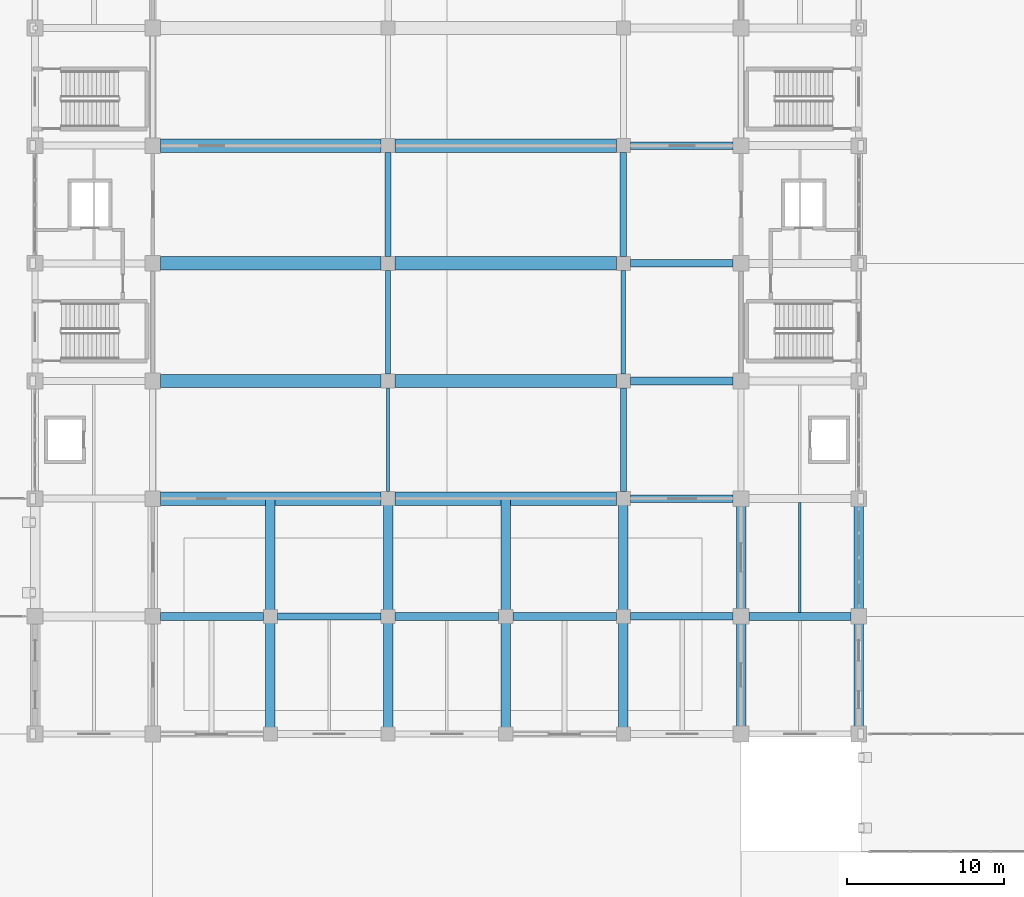
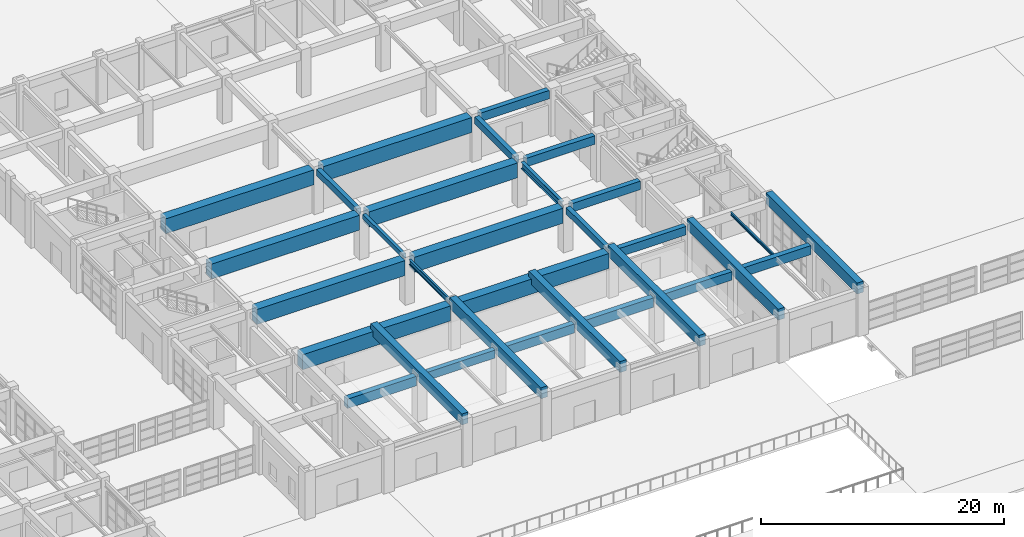
# One storey, part 28 of 122: 31 beams.
"""IFC4 building model written with IfcOpenShell, lengths in metres."""

from ifc_helpers import new_model, si_unit, direction, frame, origin, origin_2d, place, context, subcontext, project, spatial, rectangle, i_section, extrude, material, material_profile, profile_set, type_object, element, save


model = new_model("IFC4")

# Units and contexts
model_context = context("Model", 3, precision=1e-05, world=origin(), true_north=direction((0.0, 1.0)))
body_context = subcontext(model_context, "Body", "Model", "MODEL_VIEW")
ifc_project = project(units=[si_unit("LENGTHUNIT", "METRE"), si_unit("AREAUNIT", "SQUARE_METRE"), si_unit("VOLUMEUNIT", "CUBIC_METRE"), si_unit("PLANEANGLEUNIT", "RADIAN"), si_unit("MASSUNIT", "GRAM", prefix="KILO")], contexts=[model_context])

# Site, building, storey
site_placement = place(None, origin())
site = spatial("IfcSite", under=ifc_project, at=site_placement, CompositionType="ELEMENT")
building_placement = place(site_placement, origin())
building = spatial("IfcBuilding", under=site, at=building_placement, Name="Qasida Concert Hall", CompositionType="ELEMENT")
storey_placement = place(building_placement, origin())
storey = spatial("IfcBuildingStorey", under=building, at=storey_placement, Name="L00", CompositionType="ELEMENT", Elevation=0.0)

# Beams
ifc_material_1 = material(Name="Concrete C40/50", Category="concrete")
ifc_material_profile_1 = material_profile(ifc_material_1, rectangle(XDim=0.39990234375, YDim=0.64990234375, at=origin_2d()), Name="RC 400x650")
ifc_profile_set_1 = profile_set([ifc_material_profile_1], Name="Concrete C40/50")
beam_type_1 = type_object("IfcBeamType", Name="BM-B1", PredefinedType="BEAM", material=ifc_profile_set_1)
for number, where, z_axis, x_axis, name in (
    (1, (75.0, 52.949951171875, 4.175048828125), (0.0, 1.0, 0.0), (-1.0, 0.0, 0.0), "L00 girder 0419"),
    (2, (90.0, 37.949951171875, 4.175048828125), (0.0, 1.0, 0.0), (-1.0, 0.0, 0.0), "L00 girder 0424"),
):
    element("IfcBeam", number, at=place(storey_placement, frame(where, z_axis=z_axis, x_axis=x_axis)), inside=storey, type_object=beam_type_1, Name=name, PredefinedType="BEAM", context=body_context, shape_type="SweptSolid", body=[
        extrude(rectangle(XDim=0.39990234375, YDim=0.64990234375, at=origin_2d()), origin(), (0.0, 0.0, 1.0), 6.60009765625),
    ])
ifc_material_profile_2 = material_profile(ifc_material_1, rectangle(XDim=0.419921875, YDim=0.699951171875, at=origin_2d()), Name="RC 420x700")
ifc_profile_set_2 = profile_set([ifc_material_profile_2], Name="Concrete C40/50")
beam_type_2 = type_object("IfcBeamType", Name="BM-B11", PredefinedType="BEAM", material=ifc_profile_set_2)
beam_1_placement = place(storey_placement, frame((90.0, 52.949951171875, 4.14990234375), z_axis=(0.0, 1.0, 0.0), x_axis=(-1.0, 0.0, 0.0)))
element("IfcBeam", 3, at=beam_1_placement, inside=storey, type_object=beam_type_2, Name="L00 girder 0426", PredefinedType="BEAM", context=body_context, shape_type="SweptSolid", body=[
    extrude(rectangle(XDim=0.419921875, YDim=0.699951171875, at=origin_2d()), origin(), (0.0, 0.0, 1.0), 6.60009765625),
])
ifc_material_2 = material(Name="Steel S355J2", Category="steel")
ifc_material_profile_3 = material_profile(ifc_material_2, i_section(OverallWidth=0.300048828125, OverallDepth=0.64990234375, WebThickness=0.01611328125, FlangeThickness=0.031005859375, FilletRadius=0.027099609375, at=origin_2d()), Name="HEB 650")
ifc_profile_set_3 = profile_set([ifc_material_profile_3], Name="Steel S355J2")
beam_type_3 = type_object("IfcBeamType", Name="BM-B13", PredefinedType="BEAM", material=ifc_profile_set_3)
beam_2_placement = place(storey_placement, frame((90.0, 45.449951171875, 4.175048828125), z_axis=(0.0, 1.0, 0.0), x_axis=(-1.0, 0.0, 0.0)))
element("IfcBeam", 4, at=beam_2_placement, inside=storey, type_object=beam_type_3, Name="L00 girder 0425", PredefinedType="BEAM", context=body_context, shape_type="SweptSolid", body=[
    extrude(i_section(OverallWidth=0.300048828125, OverallDepth=0.64990234375, WebThickness=0.01611328125, FlangeThickness=0.031005859375, FilletRadius=0.027099609375, at=origin_2d()), origin(), (0.0, 0.0, 1.0), 6.60009765625),
])
ifc_material_profile_4 = material_profile(ifc_material_1, rectangle(XDim=0.300048828125, YDim=0.449951171875, at=origin_2d()), Name="RC 300x450")
ifc_profile_set_4 = profile_set([ifc_material_profile_4], Name="Concrete C40/50")
beam_type_4 = type_object("IfcBeamType", Name="BM-B3", PredefinedType="BEAM", material=ifc_profile_set_4)
beam_3_placement = place(storey_placement, frame((75.0, 45.449951171875, 4.27490234375), z_axis=(0.0, 1.0, 0.0), x_axis=(-1.0, 0.0, 0.0)))
element("IfcBeam", 5, at=beam_3_placement, inside=storey, type_object=beam_type_4, Name="L00 girder 0418", PredefinedType="BEAM", context=body_context, shape_type="SweptSolid", body=[
    extrude(rectangle(XDim=0.300048828125, YDim=0.449951171875, at=origin_2d()), origin(), (0.0, 0.0, 1.0), 6.60009765625),
])
ifc_material_profile_5 = material_profile(ifc_material_2, i_section(OverallWidth=0.199951171875, OverallDepth=0.5, WebThickness=0.01025390625, FlangeThickness=0.01611328125, FilletRadius=0.02099609375, at=origin_2d()), Name="IPE 500")
ifc_profile_set_5 = profile_set([ifc_material_profile_5], Name="Steel S355J2")
beam_type_5 = type_object("IfcBeamType", Name="BM-B4", PredefinedType="BEAM", material=ifc_profile_set_5)
beam_4_placement = place(storey_placement, frame((75.0, 37.949951171875, 4.25), z_axis=(0.0, 1.0, 0.0), x_axis=(-1.0, 0.0, 0.0)))
element("IfcBeam", 6, at=beam_4_placement, inside=storey, type_object=beam_type_5, Name="L00 girder 0417", PredefinedType="BEAM", context=body_context, shape_type="SweptSolid", body=[
    extrude(i_section(OverallWidth=0.199951171875, OverallDepth=0.5, WebThickness=0.01025390625, FlangeThickness=0.01611328125, FilletRadius=0.02099609375, at=origin_2d()), origin(), (0.0, 0.0, 1.0), 6.60009765625),
])
ifc_material_profile_6 = material_profile(ifc_material_1, rectangle(XDim=0.5, YDim=0.89990234375, at=origin_2d()), Name="RC 500x900")
ifc_profile_set_6 = profile_set([ifc_material_profile_6], Name="Concrete C40/50")
beam_type_6 = type_object("IfcBeamType", Name="BM-G1", PredefinedType="USERDEFINED", material=ifc_profile_set_6)
beam_5_placement = place(storey_placement, frame((75.449951171875, 30.0, 4.050048828125), z_axis=(1.0, 0.0, 0.0), x_axis=(0.0, 1.0, 0.0)))
element("IfcBeam", 7, at=beam_5_placement, inside=storey, type_object=beam_type_6, Name="Primary girder 0361", ObjectType="GIRDER", PredefinedType="USERDEFINED", context=body_context, shape_type="SweptSolid", body=[
    extrude(rectangle(XDim=0.5, YDim=0.89990234375, at=origin_2d()), origin(), (0.0, 0.0, 1.0), 6.60009765625),
])
beam_6_placement = place(storey_placement, frame((98.0, 30.0, 4.050048828125), z_axis=(1.0, 0.0, 0.0), x_axis=(0.0, 1.0, 0.0)))
element("IfcBeam", 8, at=beam_6_placement, inside=storey, type_object=beam_type_6, Name="Primary girder 0364", ObjectType="GIRDER", PredefinedType="USERDEFINED", context=body_context, shape_type="SweptSolid", body=[
    extrude(rectangle(XDim=0.5, YDim=0.89990234375, at=origin_2d()), origin(), (0.0, 0.0, 1.0), 6.5),
])
ifc_material_profile_7 = material_profile(ifc_material_1, rectangle(XDim=0.449951171875, YDim=0.800048828125, at=origin_2d()), Name="RC 450x800")
ifc_profile_set_7 = profile_set([ifc_material_profile_7], Name="Concrete C40/50")
beam_type_7 = type_object("IfcBeamType", Name="BM-G2", PredefinedType="USERDEFINED", material=ifc_profile_set_7)
beam_7_placement = place(storey_placement, frame((67.949951171875, 30.0, 4.10009765625), z_axis=(1.0, 0.0, 0.0), x_axis=(0.0, 1.0, 0.0)))
element("IfcBeam", 9, at=beam_7_placement, inside=storey, type_object=beam_type_7, Name="Primary girder 0360", ObjectType="GIRDER", PredefinedType="USERDEFINED", context=body_context, shape_type="SweptSolid", body=[
    extrude(rectangle(XDim=0.449951171875, YDim=0.800048828125, at=origin_2d()), origin(), (0.0, 0.0, 1.0), 6.60009765625),
])
ifc_material_3 = material(Name="Concrete C50/60", Category="concrete")
ifc_material_profile_8 = material_profile(ifc_material_3, rectangle(XDim=0.60009765625, YDim=1.10009765625, at=origin_2d()), Name="RC 600x1100")
ifc_profile_set_8 = profile_set([ifc_material_profile_8], Name="Concrete C50/60")
beam_type_8 = type_object("IfcBeamType", Name="BM-G4", PredefinedType="USERDEFINED", material=ifc_profile_set_8)
for number, where, z_axis, x_axis, name in (
    (10, (67.5, 22.5, 4.5), (0.0, 1.0, 0.0), (-1.0, 0.0, 0.0), "Entrance soffit backspan girder CGRKB-675"),
    (11, (75.0, 22.5, 4.5), (0.0, 1.0, 0.0), (-1.0, 0.0, 0.0), "Entrance soffit backspan girder CGRKB-750"),
    (12, (82.5, 22.5, 4.5), (0.0, 1.0, 0.0), (-1.0, 0.0, 0.0), "Entrance soffit backspan girder CGRKB-825"),
    (13, (90.0, 22.5, 4.5), (0.0, 1.0, 0.0), (-1.0, 0.0, 0.0), "Entrance soffit backspan girder CGRKB-900"),
    (14, (97.5, 22.5, 4.5), (0.0, 1.0, 0.0), (-1.0, 0.0, 0.0), "Entrance soffit backspan girder CGRKB-975"),
    (15, (105.0, 22.5, 4.5), (0.0, 1.0, 0.0), (-1.0, 0.0, 0.0), "Entrance soffit backspan girder CGRKB-1050"),
):
    element("IfcBeam", number, at=place(storey_placement, frame(where, z_axis=z_axis, x_axis=x_axis)), inside=storey, type_object=beam_type_8, Name=name, ObjectType="GIRDER", PredefinedType="USERDEFINED", context=body_context, shape_type="SweptSolid", body=[
        extrude(rectangle(XDim=0.60009765625, YDim=1.10009765625, at=origin_2d()), origin(), (0.0, 0.0, 1.0), 15.0),
    ])
ifc_material_profile_9 = material_profile(ifc_material_1, rectangle(XDim=0.47998046875, YDim=0.85009765625, at=origin_2d()), Name="RC 480x850")
ifc_profile_set_9 = profile_set([ifc_material_profile_9], Name="Concrete C40/50")
beam_type_9 = type_object("IfcBeamType", Name="BM-G6", PredefinedType="USERDEFINED", material=ifc_profile_set_9)
for number, where, z_axis, x_axis, name in (
    (16, (90.449951171875, 30.0, 4.074951171875), (1.0, 0.0, 0.0), (0.0, 1.0, 0.0), "Primary girder 0363"),
    (17, (90.449951171875, 37.5, 4.074951171875), (1.0, 0.0, 0.0), (0.0, 1.0, 0.0), "Primary girder 0368"),
    (18, (90.449951171875, 45.0, 4.074951171875), (1.0, 0.0, 0.0), (0.0, 1.0, 0.0), "Primary girder 0373"),
    (19, (90.449951171875, 52.5, 4.074951171875), (1.0, 0.0, 0.0), (0.0, 1.0, 0.0), "Primary girder 0378"),
    (20, (90.449951171875, 60.0, 4.074951171875), (1.0, 0.0, 0.0), (0.0, 1.0, 0.0), "Primary girder 0383"),
):
    element("IfcBeam", number, at=place(storey_placement, frame(where, z_axis=z_axis, x_axis=x_axis)), inside=storey, type_object=beam_type_9, Name=name, ObjectType="GIRDER", PredefinedType="USERDEFINED", context=body_context, shape_type="SweptSolid", body=[
        extrude(rectangle(XDim=0.47998046875, YDim=0.85009765625, at=origin_2d()), origin(), (0.0, 0.0, 1.0), 6.550048828125),
    ])
ifc_material_profile_10 = material_profile(ifc_material_1, rectangle(XDim=0.52001953125, YDim=0.949951171875, at=origin_2d()), Name="RC 520x950")
ifc_profile_set_10 = profile_set([ifc_material_profile_10], Name="Concrete C40/50")
beam_type_10 = type_object("IfcBeamType", Name="BM-G7", PredefinedType="USERDEFINED", material=ifc_profile_set_10)
beam_8_placement = place(storey_placement, frame((60.5, 30.0, 4.02490234375), z_axis=(1.0, 0.0, 0.0), x_axis=(0.0, 1.0, 0.0)))
element("IfcBeam", 21, at=beam_8_placement, inside=storey, type_object=beam_type_10, Name="Primary girder 0359", ObjectType="GIRDER", PredefinedType="USERDEFINED", context=body_context, shape_type="SweptSolid", body=[
    extrude(rectangle(XDim=0.52001953125, YDim=0.949951171875, at=origin_2d()), origin(), (0.0, 0.0, 1.0), 6.550048828125),
])
beam_9_placement = place(storey_placement, frame((82.949951171875, 30.0, 4.02490234375), z_axis=(1.0, 0.0, 0.0), x_axis=(0.0, 1.0, 0.0)))
element("IfcBeam", 22, at=beam_9_placement, inside=storey, type_object=beam_type_10, Name="Primary girder 0362", ObjectType="GIRDER", PredefinedType="USERDEFINED", context=body_context, shape_type="SweptSolid", body=[
    extrude(rectangle(XDim=0.52001953125, YDim=0.949951171875, at=origin_2d()), origin(), (0.0, 0.0, 1.0), 6.60009765625),
])
ifc_material_profile_11 = material_profile(ifc_material_2, i_section(OverallWidth=0.14990234375, OverallDepth=0.300048828125, WebThickness=0.007080078125, FlangeThickness=0.0107421875, FilletRadius=0.014892578125, at=origin_2d()), Name="IPE 300")
ifc_profile_set_11 = profile_set([ifc_material_profile_11], Name="Steel S355J2")
beam_type_11 = type_object("IfcBeamType", Name="BM-J4", PredefinedType="JOIST", material=ifc_profile_set_11)
beam_10_placement = place(storey_placement, frame((101.25, 30.25, 4.35009765625), z_axis=(0.0, 1.0, 0.0), x_axis=(-1.0, 0.0, 0.0)))
element("IfcBeam", 23, at=beam_10_placement, inside=storey, type_object=beam_type_11, Name="L00 secondary joist 0459", PredefinedType="JOIST", context=body_context, shape_type="SweptSolid", body=[
    extrude(i_section(OverallWidth=0.14990234375, OverallDepth=0.300048828125, WebThickness=0.007080078125, FlangeThickness=0.0107421875, FilletRadius=0.014892578125, at=origin_2d()), origin(), (0.0, 0.0, 1.0), 7.0),
])
ifc_material_profile_12 = material_profile(ifc_material_3, rectangle(XDim=0.85009765625, YDim=1.5, at=origin_2d()), Name="RC 850x1500")
ifc_profile_set_12 = profile_set([ifc_material_profile_12], Name="Concrete C50/60")
beam_type_12 = type_object("IfcBeamType", Name="BM-TG2", PredefinedType="USERDEFINED", material=ifc_profile_set_12)
beam_11_placement = place(storey_placement, frame((60.5, 37.5, 3.75), z_axis=(1.0, 0.0, 0.0), x_axis=(0.0, 1.0, 0.0)))
element("IfcBeam", 24, at=beam_11_placement, inside=storey, type_object=beam_type_12, Name="Transfer girder TG-0366", ObjectType="GIRDER", PredefinedType="USERDEFINED", context=body_context, shape_type="SweptSolid", body=[
    extrude(rectangle(XDim=0.85009765625, YDim=1.5, at=origin_2d()), origin(), (0.0, 0.0, 1.0), 14.050048828125),
])
beam_12_placement = place(storey_placement, frame((75.449951171875, 37.5, 3.75), z_axis=(1.0, 0.0, 0.0), x_axis=(0.0, 1.0, 0.0)))
element("IfcBeam", 25, at=beam_12_placement, inside=storey, type_object=beam_type_12, Name="Transfer girder TG-0367", ObjectType="GIRDER", PredefinedType="USERDEFINED", context=body_context, shape_type="SweptSolid", body=[
    extrude(rectangle(XDim=0.85009765625, YDim=1.5, at=origin_2d()), origin(), (0.0, 0.0, 1.0), 14.10009765625),
])
beam_13_placement = place(storey_placement, frame((60.5, 45.0, 3.75), z_axis=(1.0, 0.0, 0.0), x_axis=(0.0, 1.0, 0.0)))
element("IfcBeam", 26, at=beam_13_placement, inside=storey, type_object=beam_type_12, Name="Transfer girder TG-0371", ObjectType="GIRDER", PredefinedType="USERDEFINED", context=body_context, shape_type="SweptSolid", body=[
    extrude(rectangle(XDim=0.85009765625, YDim=1.5, at=origin_2d()), origin(), (0.0, 0.0, 1.0), 14.050048828125),
])
beam_14_placement = place(storey_placement, frame((75.449951171875, 45.0, 3.75), z_axis=(1.0, 0.0, 0.0), x_axis=(0.0, 1.0, 0.0)))
element("IfcBeam", 27, at=beam_14_placement, inside=storey, type_object=beam_type_12, Name="Transfer girder TG-0372", ObjectType="GIRDER", PredefinedType="USERDEFINED", context=body_context, shape_type="SweptSolid", body=[
    extrude(rectangle(XDim=0.85009765625, YDim=1.5, at=origin_2d()), origin(), (0.0, 0.0, 1.0), 14.10009765625),
])
beam_15_placement = place(storey_placement, frame((60.5, 52.5, 3.75), z_axis=(1.0, 0.0, 0.0), x_axis=(0.0, 1.0, 0.0)))
element("IfcBeam", 28, at=beam_15_placement, inside=storey, type_object=beam_type_12, Name="Transfer girder TG-0376", ObjectType="GIRDER", PredefinedType="USERDEFINED", context=body_context, shape_type="SweptSolid", body=[
    extrude(rectangle(XDim=0.85009765625, YDim=1.5, at=origin_2d()), origin(), (0.0, 0.0, 1.0), 14.050048828125),
])
beam_16_placement = place(storey_placement, frame((75.449951171875, 52.5, 3.75), z_axis=(1.0, 0.0, 0.0), x_axis=(0.0, 1.0, 0.0)))
element("IfcBeam", 29, at=beam_16_placement, inside=storey, type_object=beam_type_12, Name="Transfer girder TG-0377", ObjectType="GIRDER", PredefinedType="USERDEFINED", context=body_context, shape_type="SweptSolid", body=[
    extrude(rectangle(XDim=0.85009765625, YDim=1.5, at=origin_2d()), origin(), (0.0, 0.0, 1.0), 14.10009765625),
])
beam_17_placement = place(storey_placement, frame((60.5, 60.0, 3.75), z_axis=(1.0, 0.0, 0.0), x_axis=(0.0, 1.0, 0.0)))
element("IfcBeam", 30, at=beam_17_placement, inside=storey, type_object=beam_type_12, Name="Transfer girder TG-0381", ObjectType="GIRDER", PredefinedType="USERDEFINED", context=body_context, shape_type="SweptSolid", body=[
    extrude(rectangle(XDim=0.85009765625, YDim=1.5, at=origin_2d()), origin(), (0.0, 0.0, 1.0), 14.050048828125),
])
beam_18_placement = place(storey_placement, frame((75.449951171875, 60.0, 3.75), z_axis=(1.0, 0.0, 0.0), x_axis=(0.0, 1.0, 0.0)))
element("IfcBeam", 31, at=beam_18_placement, inside=storey, type_object=beam_type_12, Name="Transfer girder TG-0382", ObjectType="GIRDER", PredefinedType="USERDEFINED", context=body_context, shape_type="SweptSolid", body=[
    extrude(rectangle(XDim=0.85009765625, YDim=1.5, at=origin_2d()), origin(), (0.0, 0.0, 1.0), 14.10009765625),
])

save(model, "model.ifc")
